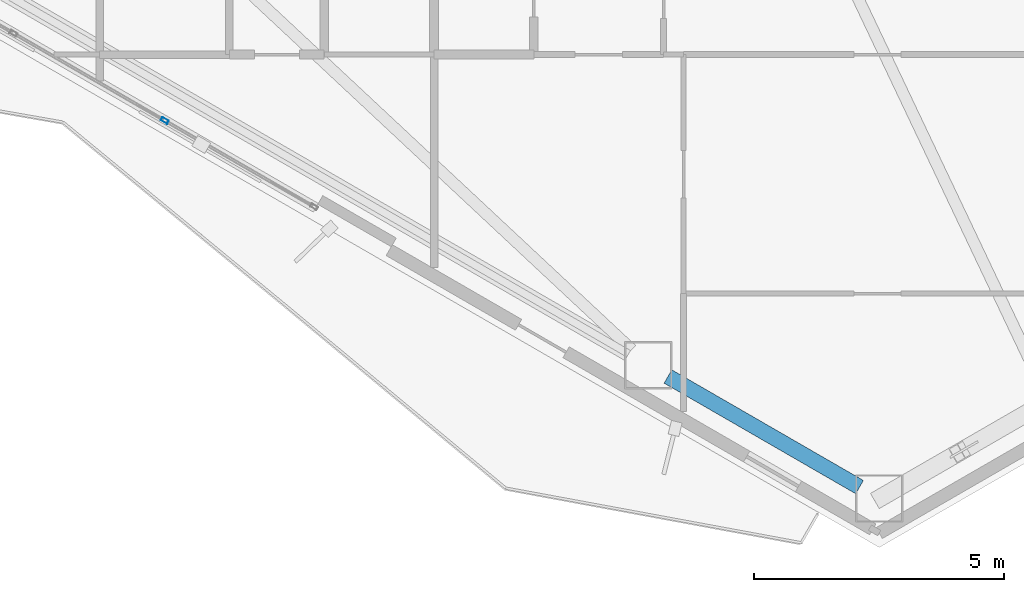
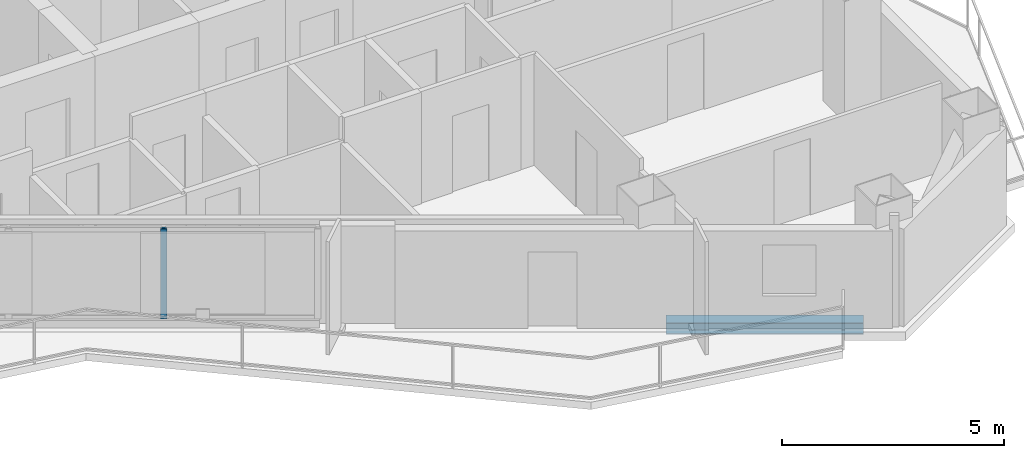
# One storey, part 3 of 19: 1 beam, 1 member, 1 element without a shape of its own.
"""IFC4 building model written with IfcOpenShell, lengths in metres."""

from ifc_helpers import new_model, si_unit, direction, frame, origin, origin_2d, place, context, subcontext, project, spatial, hollow_rectangle, i_section, extrude, material, layer, layer_set, material_profile, profile_set, type_object, element, aggregate, save


model = new_model("IFC4")

# Units and contexts
model_context = context("Model", 3, precision=1e-05, world=origin(), true_north=direction((0.0, 1.0)))
body_context = subcontext(model_context, "Body", "Model", "MODEL_VIEW")
ifc_project = project(units=[si_unit("LENGTHUNIT", "METRE"), si_unit("AREAUNIT", "SQUARE_METRE"), si_unit("VOLUMEUNIT", "CUBIC_METRE"), si_unit("PLANEANGLEUNIT", "RADIAN"), si_unit("MASSUNIT", "GRAM", prefix="KILO")], contexts=[model_context])

# Site, building, storey
site_placement = place(None, origin())
site = spatial("IfcSite", under=ifc_project, at=site_placement, CompositionType="ELEMENT")
building_placement = place(site_placement, origin())
building = spatial("IfcBuilding", under=site, at=building_placement, Name="Mersakhor Tower and Convention Hall", CompositionType="ELEMENT")
storey_placement = place(building_placement, frame((0.0, 0.0, 147.60009765625)))
storey = spatial("IfcBuildingStorey", under=building, at=storey_placement, Name="L41", CompositionType="ELEMENT", Elevation=147.60009765625)

# Beam
ifc_material_1 = material(Name="Steel S355", Category="steel")
ifc_material_profile_1 = material_profile(ifc_material_1, i_section(OverallWidth=0.30908203125, OverallDepth=0.320556640625, WebThickness=0.013916015625, FlangeThickness=0.021728515625, at=origin_2d()), Name="UC 305x305x137")
ifc_profile_set_1 = profile_set([ifc_material_profile_1], Name="Steel S355")
beam_type = type_object("IfcBeamType", Name="BM-SPD-UC305", PredefinedType="SPANDREL", material=ifc_profile_set_1)
beam_placement = place(storey_placement, frame((37.826416015625, 7.082763671875, -0.400390625), z_axis=(-0.866038875684, 0.49997666526, 0.0), x_axis=(-0.49997666526, -0.866038875684, 0.0)))
element("IfcBeam", 1, at=beam_placement, inside=storey, type_object=beam_type, Name="L41 Perimeter Spandrel Beam SPB-09", PredefinedType="SPANDREL", context=body_context, shape_type="SweptSolid", body=[
    extrude(i_section(OverallWidth=0.30908203125, OverallDepth=0.320556640625, WebThickness=0.013916015625, FlangeThickness=0.021728515625, at=origin_2d()), origin(), (0.0, 0.0, 1.0), 4.433837890625),
])

# Curtain wall, member
ifc_material_2 = material(Name="Dark solar low-E aluminium curtain wall", Category="aluminium")
ifc_layer = layer(ifc_material_2, 0.169921875)
ifc_layer_set = layer_set([ifc_layer], Name="Dark solar low-E aluminium curtain wall")
curtain_wall_type = type_object("IfcCurtainWallType", Name="CW-SYS-02", PredefinedType="USERDEFINED", material=ifc_layer_set)
curtain_wall_placement = place(storey_placement, origin())
curtain_wall = element("IfcCurtainWall", 2, at=curtain_wall_placement, inside=storey, type_object=curtain_wall_type, Name="L41 Dark-Glass Curtain Wall F3-B2", ObjectType="CURTAIN WALL", PredefinedType="USERDEFINED")
ifc_material_3 = material(Name="Anodised aluminium EN AW-6063 T6", Category="aluminium")
ifc_material_profile_2 = material_profile(ifc_material_3, hollow_rectangle(XDim=0.074951171875, YDim=0.14990234375, WallThickness=0.00634765625, at=origin_2d()), Name="RHS 150x75x6.3")
ifc_profile_set_2 = profile_set([ifc_material_profile_2], Name="Anodised aluminium EN AW-6063 T6")
member_type = type_object("IfcMemberType", Name="CWM-150x75", PredefinedType="MULLION", material=ifc_profile_set_2)
member_placement = place(storey_placement, frame((23.904052734375, 14.427978515625, 0.199951171875), z_axis=(0.0, 0.0, 1.0), x_axis=(-0.499990468363, -0.866030906807, 0.0)))
member = element("IfcMember", 3, at=member_placement, type_object=member_type, Name="CW-02 mullion 2", PredefinedType="MULLION", context=body_context, shape_type="SweptSolid", body=[
    extrude(hollow_rectangle(XDim=0.074951171875, YDim=0.14990234375, WallThickness=0.00634765625, at=origin_2d()), origin(), (0.0, 0.0, 1.0), 2.47998046875),
])
aggregate(curtain_wall, [member])

save(model, "model.ifc")
